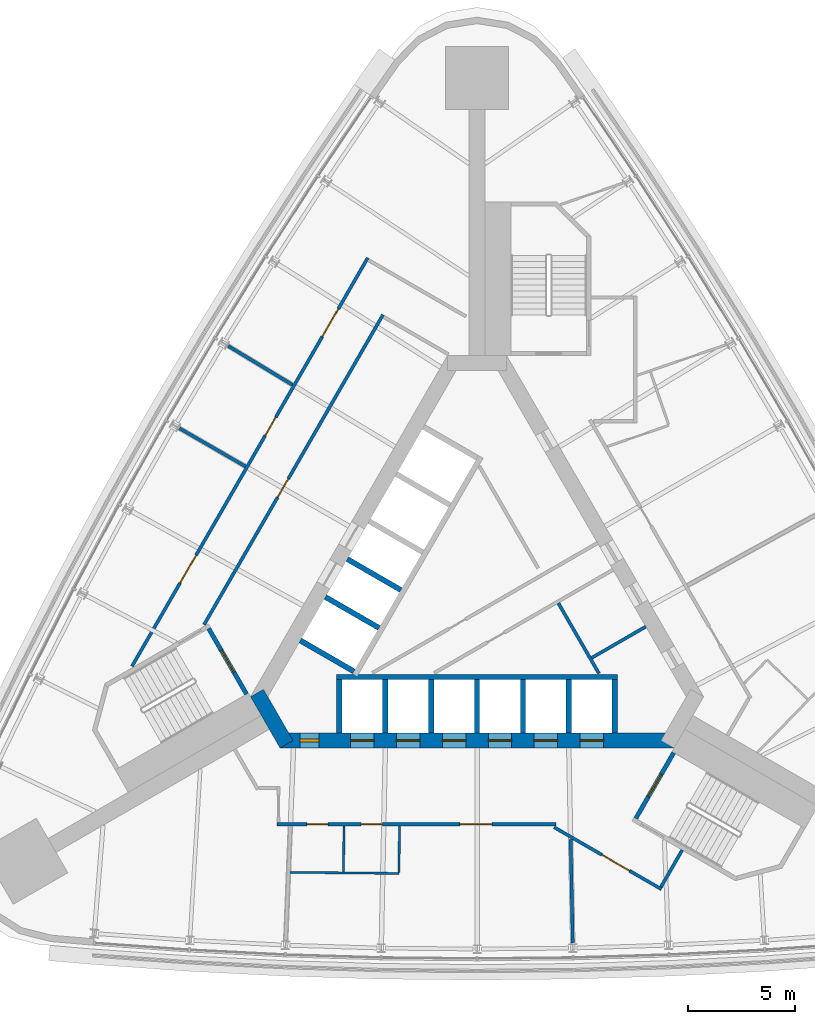
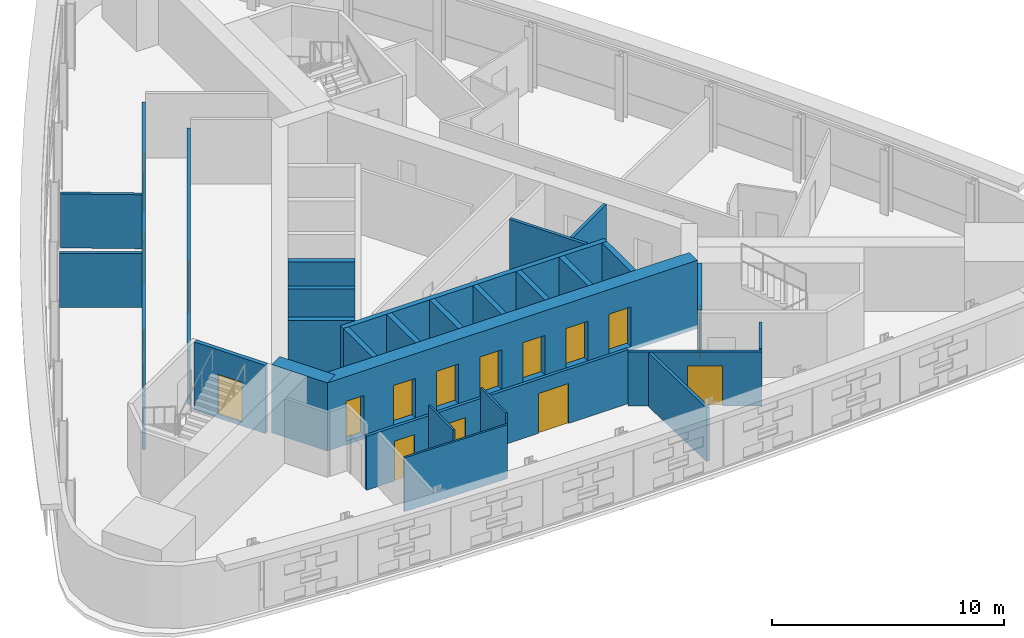
# One storey, part 7 of 11: 28 walls, 17 doors, 17 openings.
"""IFC4 building model written with IfcOpenShell, lengths in metres."""

from ifc_helpers import new_model, si_unit, direction, frame, frame_2d, origin, place, context, subcontext, project, spatial, rectangle, extrude, material, layer, layer_set, type_object, element, fill, save


model = new_model("IFC4")

# Units and contexts
model_context = context("Model", 3, precision=1e-05, world=origin(), true_north=direction((0.0, 1.0)))
body_context = subcontext(model_context, "Body", "Model", "MODEL_VIEW")
ifc_project = project(units=[si_unit("LENGTHUNIT", "METRE"), si_unit("AREAUNIT", "SQUARE_METRE"), si_unit("VOLUMEUNIT", "CUBIC_METRE"), si_unit("PLANEANGLEUNIT", "RADIAN"), si_unit("MASSUNIT", "GRAM", prefix="KILO")], contexts=[model_context])

# Site, building, storey
site_placement = place(None, origin())
site = spatial("IfcSite", under=ifc_project, at=site_placement, CompositionType="ELEMENT")
building_placement = place(site_placement, origin())
building = spatial("IfcBuilding", under=site, at=building_placement, Name="Noor Cloister Tower", CompositionType="ELEMENT")
storey_placement = place(building_placement, frame((0.0, 0.0, 116.699951171875)))
storey = spatial("IfcBuildingStorey", under=building, at=storey_placement, Name="L30", CompositionType="ELEMENT", Elevation=116.699951171875)

# Walls
ifc_material_1 = material(Name="Concrete C30/37", Category="concrete")
ifc_layer_1 = layer(ifc_material_1, 0.14990234375)
ifc_layer_set_1 = layer_set([ifc_layer_1], Name="Core partition 150 C30/37")
wall_type_1 = type_object("IfcWallType", Name="Core partition 150 C30/37", PredefinedType="PARTITIONING", material=ifc_layer_set_1)
wall_1_placement = place(storey_placement, frame((5.713134765625, -3.439208984375, 0.0), z_axis=(0.0, 0.0, 1.0), x_axis=(-0.499981559197, 0.866036050325, 0.0)))
element("IfcWall", 1, at=wall_1_placement, inside=storey, type_object=wall_type_1, Name="Core room partition L30 4", PredefinedType="PARTITIONING", context=body_context, shape_type="SweptSolid", body=[
    extrude(rectangle(XDim=3.806396484375, YDim=0.14990234375, at=frame_2d((1.9033203125, 0.0))), origin(), (0.0, 0.0, 1.0), 3.400146484375),
])
wall_2_placement = place(storey_placement, frame((5.375, -2.703369140625, 0.0), z_axis=(0.0, 0.0, 1.0), x_axis=(0.866046596414, 0.499963291492, 0.0)))
element("IfcWall", 2, at=wall_2_placement, inside=storey, type_object=wall_type_1, Name="Core room partition L30 5", PredefinedType="PARTITIONING", context=body_context, shape_type="SweptSolid", body=[
    extrude(rectangle(XDim=2.925048828125, YDim=0.14990234375, at=frame_2d((1.46240234375, 0.0))), origin(), (0.0, 0.0, 1.0), 3.400146484375),
])

# Wall, openings, doors
ifc_material_2 = material(Name="Concrete C80/95", Category="concrete")
ifc_layer_2 = layer(ifc_material_2, 0.699951171875)
ifc_layer_set_2 = layer_set([ifc_layer_2], Name="Core wall 700 C80/95")
wall_type_2 = type_object("IfcWallType", Name="Core wall 700 C80/95", PredefinedType="SHEAR", material=ifc_layer_set_2)
wall_3_placement = place(storey_placement, frame((-9.228759765625, -6.578125, -0.199951171875), z_axis=(0.0, 0.0, 1.0), x_axis=(1.0, 0.0, 0.0)))
wall_3 = element("IfcWall", 3, at=wall_3_placement, inside=storey, type_object=wall_type_2, Name="Core wall L30 1", PredefinedType="SHEAR", context=body_context, shape_type="SweptSolid", body=[
    extrude(rectangle(XDim=18.45751953125, YDim=0.699951171875, at=frame_2d((9.228759765625, 0.0))), origin(), (0.0, 0.0, 1.0), 3.60009765625),
])
opening_1_placement = place(wall_3_placement, frame((3.3037109375, 0.0, 0.199951171875)))
opening_1 = element("IfcOpeningElement", 4, at=opening_1_placement, cuts=wall_3, Name="Opening L30-LR1", PredefinedType="OPENING", context=body_context, shape_type="SweptSolid", body=[
    extrude(rectangle(XDim=1.10009765625, YDim=2.10009765625, at=frame_2d((0.550048828125, 1.050048828125))), frame((0.0, 0.35986328125, 0.0), z_axis=(0.0, -1.0, 0.0), x_axis=(1.0, 0.0, 0.0)), (0.0, 0.0, 1.0), 0.719970703125),
])
opening_2_placement = place(wall_3_placement, frame((5.45361328125, 0.0, 0.199951171875)))
opening_2 = element("IfcOpeningElement", 5, at=opening_2_placement, cuts=wall_3, Name="Opening L30-LR2", PredefinedType="OPENING", context=body_context, shape_type="SweptSolid", body=[
    extrude(rectangle(XDim=1.10009765625, YDim=2.10009765625, at=frame_2d((0.550048828125, 1.050048828125))), frame((0.0, 0.35986328125, 0.0), z_axis=(0.0, -1.0, 0.0), x_axis=(1.0, 0.0, 0.0)), (0.0, 0.0, 1.0), 0.719970703125),
])
opening_3_placement = place(wall_3_placement, frame((7.603759765625, 0.0, 0.199951171875)))
opening_3 = element("IfcOpeningElement", 6, at=opening_3_placement, cuts=wall_3, Name="Opening L30-LR3", PredefinedType="OPENING", context=body_context, shape_type="SweptSolid", body=[
    extrude(rectangle(XDim=1.10009765625, YDim=2.10009765625, at=frame_2d((0.550048828125, 1.050048828125))), frame((0.0, 0.35986328125, 0.0), z_axis=(0.0, -1.0, 0.0), x_axis=(1.0, 0.0, 0.0)), (0.0, 0.0, 1.0), 0.719970703125),
])
opening_4_placement = place(wall_3_placement, frame((9.753662109375, 0.0, 0.199951171875)))
opening_4 = element("IfcOpeningElement", 7, at=opening_4_placement, cuts=wall_3, Name="Opening L30-LR4", PredefinedType="OPENING", context=body_context, shape_type="SweptSolid", body=[
    extrude(rectangle(XDim=1.10009765625, YDim=2.10009765625, at=frame_2d((0.550048828125, 1.050048828125))), frame((0.0, 0.35986328125, 0.0), z_axis=(0.0, -1.0, 0.0), x_axis=(1.0, 0.0, 0.0)), (0.0, 0.0, 1.0), 0.719970703125),
])
opening_5_placement = place(wall_3_placement, frame((11.90380859375, 0.0, 0.199951171875)))
opening_5 = element("IfcOpeningElement", 8, at=opening_5_placement, cuts=wall_3, Name="Opening L30-LR5", PredefinedType="OPENING", context=body_context, shape_type="SweptSolid", body=[
    extrude(rectangle(XDim=1.10009765625, YDim=2.10009765625, at=frame_2d((0.550048828125, 1.050048828125))), frame((0.0, 0.35986328125, 0.0), z_axis=(0.0, -1.0, 0.0), x_axis=(1.0, 0.0, 0.0)), (0.0, 0.0, 1.0), 0.719970703125),
])
opening_6_placement = place(wall_3_placement, frame((14.0537109375, 0.0, 0.199951171875)))
opening_6 = element("IfcOpeningElement", 9, at=opening_6_placement, cuts=wall_3, Name="Opening L30-LR6", PredefinedType="OPENING", context=body_context, shape_type="SweptSolid", body=[
    extrude(rectangle(XDim=1.10009765625, YDim=2.10009765625, at=frame_2d((0.550048828125, 1.050048828125))), frame((0.0, 0.35986328125, 0.0), z_axis=(0.0, -1.0, 0.0), x_axis=(1.0, 0.0, 0.0)), (0.0, 0.0, 1.0), 0.719970703125),
])
opening_7_placement = place(wall_3_placement, frame((0.92626953125, 0.0, 0.199951171875)))
opening_7 = element("IfcOpeningElement", 10, at=opening_7_placement, cuts=wall_3, Name="Opening L30-907", PredefinedType="OPENING", context=body_context, shape_type="SweptSolid", body=[
    extrude(rectangle(XDim=0.89990234375, YDim=2.10009765625, at=frame_2d((0.449951171875, 1.050048828125))), frame((0.0, 0.35986328125, 0.0), z_axis=(0.0, -1.0, 0.0), x_axis=(1.0, 0.0, 0.0)), (0.0, 0.0, 1.0), 0.719970703125),
])
ifc_material_3 = material(Name="Steel", Category="steel")
door_type_1 = type_object("IfcDoorType", Name="Core door 900 x 2100 FD60", OperationType="SINGLE_SWING_LEFT", PredefinedType="DOOR", material=ifc_material_3)
door_1_placement = place(opening_7_placement, origin())
door_1 = element("IfcDoor", 11, at=door_1_placement, inside=storey, type_object=door_type_1, Name="Core door 7 L30", OperationType="SINGLE_SWING_LEFT", OverallHeight=2.10009765625, OverallWidth=0.89990234375, PredefinedType="DOOR", context=body_context, shape_type="SweptSolid", body=[
    extrude(rectangle(XDim=0.89990234375, YDim=2.10009765625, at=frame_2d((0.449951171875, 1.050048828125))), frame((0.0, 0.074951171875, 0.0), z_axis=(0.0, -1.0, 0.0), x_axis=(1.0, 0.0, 0.0)), (0.0, 0.0, 1.0), 0.14990234375),
])
fill(opening_7, door_1)
ifc_material_4 = material(Name="Stainless steel", Category="steel")
door_type_2 = type_object("IfcDoorType", Name="Lift landing door 1100 x 2100", OperationType="DOUBLE_DOOR_SLIDING", PredefinedType="DOOR", material=ifc_material_4)
door_2_placement = place(opening_1_placement, origin())
door_2 = element("IfcDoor", 12, at=door_2_placement, inside=storey, type_object=door_type_2, Name="Landing door LR1 L30", OperationType="DOUBLE_DOOR_SLIDING", OverallHeight=2.10009765625, OverallWidth=1.10009765625, PredefinedType="DOOR", context=body_context, shape_type="SweptSolid", body=[
    extrude(rectangle(XDim=1.10009765625, YDim=2.10009765625, at=frame_2d((0.550048828125, 1.050048828125))), frame((0.0, 0.02490234375, 0.0), z_axis=(0.0, -1.0, 0.0), x_axis=(1.0, 0.0, 0.0)), (0.0, 0.0, 1.0), 0.050048828125),
])
fill(opening_1, door_2)
door_3_placement = place(opening_2_placement, origin())
door_3 = element("IfcDoor", 13, at=door_3_placement, inside=storey, type_object=door_type_2, Name="Landing door LR2 L30", OperationType="DOUBLE_DOOR_SLIDING", OverallHeight=2.10009765625, OverallWidth=1.10009765625, PredefinedType="DOOR", context=body_context, shape_type="SweptSolid", body=[
    extrude(rectangle(XDim=1.10009765625, YDim=2.10009765625, at=frame_2d((0.550048828125, 1.050048828125))), frame((0.0, 0.02490234375, 0.0), z_axis=(0.0, -1.0, 0.0), x_axis=(1.0, 0.0, 0.0)), (0.0, 0.0, 1.0), 0.050048828125),
])
fill(opening_2, door_3)
door_4_placement = place(opening_3_placement, origin())
door_4 = element("IfcDoor", 14, at=door_4_placement, inside=storey, type_object=door_type_2, Name="Landing door LR3 L30", OperationType="DOUBLE_DOOR_SLIDING", OverallHeight=2.10009765625, OverallWidth=1.10009765625, PredefinedType="DOOR", context=body_context, shape_type="SweptSolid", body=[
    extrude(rectangle(XDim=1.10009765625, YDim=2.10009765625, at=frame_2d((0.550048828125, 1.050048828125))), frame((0.0, 0.02490234375, 0.0), z_axis=(0.0, -1.0, 0.0), x_axis=(1.0, 0.0, 0.0)), (0.0, 0.0, 1.0), 0.050048828125),
])
fill(opening_3, door_4)
door_5_placement = place(opening_4_placement, origin())
door_5 = element("IfcDoor", 15, at=door_5_placement, inside=storey, type_object=door_type_2, Name="Landing door LR4 L30", OperationType="DOUBLE_DOOR_SLIDING", OverallHeight=2.10009765625, OverallWidth=1.10009765625, PredefinedType="DOOR", context=body_context, shape_type="SweptSolid", body=[
    extrude(rectangle(XDim=1.10009765625, YDim=2.10009765625, at=frame_2d((0.550048828125, 1.050048828125))), frame((0.0, 0.02490234375, 0.0), z_axis=(0.0, -1.0, 0.0), x_axis=(1.0, 0.0, 0.0)), (0.0, 0.0, 1.0), 0.050048828125),
])
fill(opening_4, door_5)
door_6_placement = place(opening_5_placement, origin())
door_6 = element("IfcDoor", 16, at=door_6_placement, inside=storey, type_object=door_type_2, Name="Landing door LR5 L30", OperationType="DOUBLE_DOOR_SLIDING", OverallHeight=2.10009765625, OverallWidth=1.10009765625, PredefinedType="DOOR", context=body_context, shape_type="SweptSolid", body=[
    extrude(rectangle(XDim=1.10009765625, YDim=2.10009765625, at=frame_2d((0.550048828125, 1.050048828125))), frame((0.0, 0.02490234375, 0.0), z_axis=(0.0, -1.0, 0.0), x_axis=(1.0, 0.0, 0.0)), (0.0, 0.0, 1.0), 0.050048828125),
])
fill(opening_5, door_6)
door_7_placement = place(opening_6_placement, origin())
door_7 = element("IfcDoor", 17, at=door_7_placement, inside=storey, type_object=door_type_2, Name="Landing door LR6 L30", OperationType="DOUBLE_DOOR_SLIDING", OverallHeight=2.10009765625, OverallWidth=1.10009765625, PredefinedType="DOOR", context=body_context, shape_type="SweptSolid", body=[
    extrude(rectangle(XDim=1.10009765625, YDim=2.10009765625, at=frame_2d((0.550048828125, 1.050048828125))), frame((0.0, 0.02490234375, 0.0), z_axis=(0.0, -1.0, 0.0), x_axis=(1.0, 0.0, 0.0)), (0.0, 0.0, 1.0), 0.050048828125),
])
fill(opening_6, door_7)

# Wall
wall_4_placement = place(storey_placement, frame((-10.311279296875, -4.353271484375, -0.199951171875), z_axis=(0.0, 0.0, 1.0), x_axis=(0.500042739161, -0.866000726912, 0.0)))
element("IfcWall", 18, at=wall_4_placement, inside=storey, type_object=wall_type_2, Name="Core wall L30 6", PredefinedType="SHEAR", context=body_context, shape_type="SweptSolid", body=[
    extrude(rectangle(XDim=2.771240234375, YDim=0.699951171875, at=frame_2d((1.3857421875, 0.0))), origin(), (0.0, 0.0, 1.0), 3.60009765625),
])

# Wall, opening, door
ifc_material_5 = material(Name="Fire-rated gypsum board partition on steel studs, 150 mm", Category="steel")
ifc_layer_3 = layer(ifc_material_5, 0.14990234375)
ifc_layer_set_3 = layer_set([ifc_layer_3], Name="Fire lobby wall 150")
wall_type_3 = type_object("IfcWallType", Name="Fire lobby wall 150", PredefinedType="PARTITIONING", material=ifc_layer_set_3)
wall_5_placement = place(storey_placement, frame((-4.40673828125, 13.373779296875, 0.0), z_axis=(0.0, 0.0, 1.0), x_axis=(-0.499997181693, -0.866027030928, 0.0)))
wall_5 = element("IfcWall", 19, at=wall_5_placement, inside=storey, type_object=wall_type_3, Name="Fire lobby wall 150 L30 002", PredefinedType="PARTITIONING", context=body_context, shape_type="SweptSolid", body=[
    extrude(rectangle(XDim=16.76953125, YDim=0.14990234375, at=frame_2d((8.384765625, 0.0))), origin(), (0.0, 0.0, 1.0), 2.84716796875),
])
opening_8_placement = place(wall_5_placement, frame((8.878662109375, 0.0, 0.0)))
opening_8 = element("IfcOpeningElement", 20, at=opening_8_placement, cuts=wall_5, Name="Opening L30-004", PredefinedType="OPENING", context=body_context, shape_type="SweptSolid", body=[
    extrude(rectangle(XDim=1.0, YDim=2.10009765625, at=frame_2d((0.5, 1.050048828125))), frame((0.0, 0.0849609375, 0.0), z_axis=(0.0, -1.0, 0.0), x_axis=(1.0, 0.0, 0.0)), (0.0, 0.0, 1.0), 0.169921875),
])
ifc_material_6 = material(Name="Timber door leaf with steel frame", Category="steel")
door_type_3 = type_object("IfcDoorType", Name="Fire lobby door 1000", OperationType="NOTDEFINED", PredefinedType="DOOR", material=ifc_material_6)
door_8_placement = place(opening_8_placement, origin())
door_8 = element("IfcDoor", 21, at=door_8_placement, inside=storey, type_object=door_type_3, Name="Fire lobby door 1000 L30-004", OperationType="SINGLE_SWING_RIGHT", OverallHeight=2.10009765625, OverallWidth=1.0, PredefinedType="DOOR", context=body_context, shape_type="SweptSolid", body=[
    extrude(rectangle(XDim=1.0, YDim=2.10009765625, at=frame_2d((0.5, 1.050048828125))), frame((0.0, 0.02490234375, 0.0), z_axis=(0.0, -1.0, 0.0), x_axis=(1.0, 0.0, 0.0)), (0.0, 0.0, 1.0), 0.050048828125),
])
fill(opening_8, door_8)

# Wall, openings, doors
ifc_material_7 = material(Name="Gypsum board partition on steel studs, 150 mm", Category="steel")
ifc_layer_4 = layer(ifc_material_7, 0.14990234375)
ifc_layer_set_4 = layer_set([ifc_layer_4], Name="Flat wall 150")
wall_type_4 = type_object("IfcWallType", Name="Flat wall 150", PredefinedType="PARTITIONING", material=ifc_layer_set_4)
wall_6_placement = place(storey_placement, frame((-16.1689453125, -3.09912109375, 0.0), z_axis=(0.0, 0.0, 1.0), x_axis=(0.499999805269, 0.866025516212, 0.0)))
wall_6 = element("IfcWall", 22, at=wall_6_placement, inside=storey, type_object=wall_type_4, Name="Flat wall 150 L30 001", PredefinedType="PARTITIONING", context=body_context, shape_type="SweptSolid", body=[
    extrude(rectangle(XDim=22.09716796875, YDim=0.14990234375, at=frame_2d((11.048583984375, 0.0))), origin(), (0.0, 0.0, 1.0), 2.84716796875),
])
opening_9_placement = place(wall_6_placement, frame((17.841796875, 0.0, 0.0)))
opening_9 = element("IfcOpeningElement", 23, at=opening_9_placement, cuts=wall_6, Name="Opening L30-001", PredefinedType="OPENING", context=body_context, shape_type="SweptSolid", body=[
    extrude(rectangle(XDim=1.5, YDim=2.10009765625, at=frame_2d((0.75, 1.050048828125))), frame((0.0, 0.0849609375, 0.0), z_axis=(0.0, -1.0, 0.0), x_axis=(1.0, 0.0, 0.0)), (0.0, 0.0, 1.0), 0.169921875),
])
opening_10_placement = place(wall_6_placement, frame((12.474365234375, 0.0, 0.0)))
opening_10 = element("IfcOpeningElement", 24, at=opening_10_placement, cuts=wall_6, Name="Opening L30-002", PredefinedType="OPENING", context=body_context, shape_type="SweptSolid", body=[
    extrude(rectangle(XDim=1.0, YDim=2.10009765625, at=frame_2d((0.5, 1.050048828125))), frame((0.0, 0.0849609375, 0.0), z_axis=(0.0, -1.0, 0.0), x_axis=(1.0, 0.0, 0.0)), (0.0, 0.0, 1.0), 0.169921875),
])
opening_11_placement = place(wall_6_placement, frame((4.50341796875, 0.0, 0.0)))
opening_11 = element("IfcOpeningElement", 25, at=opening_11_placement, cuts=wall_6, Name="Opening L30-003", PredefinedType="OPENING", context=body_context, shape_type="SweptSolid", body=[
    extrude(rectangle(XDim=1.5, YDim=2.10009765625, at=frame_2d((0.75, 1.050048828125))), frame((0.0, 0.0849609375, 0.0), z_axis=(0.0, -1.0, 0.0), x_axis=(1.0, 0.0, 0.0)), (0.0, 0.0, 1.0), 0.169921875),
])
ifc_material_8 = material(Name="Timber door leaf with steel frame", Category="steel")
door_type_4 = type_object("IfcDoorType", Name="Double door 1500 FD60", OperationType="NOTDEFINED", PredefinedType="DOOR", material=ifc_material_8)
door_9_placement = place(opening_9_placement, origin())
door_9 = element("IfcDoor", 26, at=door_9_placement, inside=storey, type_object=door_type_4, Name="Double door 1500 L30-001", OperationType="DOUBLE_DOOR_SINGLE_SWING", OverallHeight=2.10009765625, OverallWidth=1.5, PredefinedType="DOOR", context=body_context, shape_type="SweptSolid", body=[
    extrude(rectangle(XDim=1.5, YDim=2.10009765625, at=frame_2d((0.75, 1.050048828125))), frame((0.0, 0.02490234375, 0.0), z_axis=(0.0, -1.0, 0.0), x_axis=(1.0, 0.0, 0.0)), (0.0, 0.0, 1.0), 0.050048828125),
])
fill(opening_9, door_9)
door_10_placement = place(opening_11_placement, origin())
door_10 = element("IfcDoor", 27, at=door_10_placement, inside=storey, type_object=door_type_4, Name="Double door 1500 L30-003", OperationType="DOUBLE_DOOR_SINGLE_SWING", OverallHeight=2.10009765625, OverallWidth=1.5, PredefinedType="DOOR", context=body_context, shape_type="SweptSolid", body=[
    extrude(rectangle(XDim=1.5, YDim=2.10009765625, at=frame_2d((0.75, 1.050048828125))), frame((0.0, 0.02490234375, 0.0), z_axis=(0.0, -1.0, 0.0), x_axis=(1.0, 0.0, 0.0)), (0.0, 0.0, 1.0), 0.050048828125),
])
fill(opening_11, door_10)
ifc_material_9 = material(Name="Timber door leaf with steel frame", Category="steel")
door_type_5 = type_object("IfcDoorType", Name="Interior door 1000 FD60", OperationType="NOTDEFINED", PredefinedType="DOOR", material=ifc_material_9)
door_11_placement = place(opening_10_placement, origin())
door_11 = element("IfcDoor", 28, at=door_11_placement, inside=storey, type_object=door_type_5, Name="Interior door 1000 L30-002", OperationType="SINGLE_SWING_RIGHT", OverallHeight=2.10009765625, OverallWidth=1.0, PredefinedType="DOOR", context=body_context, shape_type="SweptSolid", body=[
    extrude(rectangle(XDim=1.0, YDim=2.10009765625, at=frame_2d((0.5, 1.050048828125))), frame((0.0, 0.02490234375, 0.0), z_axis=(0.0, -1.0, 0.0), x_axis=(1.0, 0.0, 0.0)), (0.0, 0.0, 1.0), 0.050048828125),
])
fill(opening_10, door_11)

wall_7_placement = place(storey_placement, frame((3.68896484375, -10.503173828125, 0.0), z_axis=(0.0, 0.0, 1.0), x_axis=(-1.0, 0.0, 0.0)))
wall_7 = element("IfcWall", 29, at=wall_7_placement, inside=storey, type_object=wall_type_4, Name="Flat wall 150 L30 004", PredefinedType="PARTITIONING", context=body_context, shape_type="SweptSolid", body=[
    extrude(rectangle(XDim=13.067626953125, YDim=0.14990234375, at=frame_2d((6.53369140625, 0.0))), origin(), (0.0, 0.0, 1.0), 2.84716796875),
])
opening_12_placement = place(wall_7_placement, frame((10.66845703125, 0.0, 0.0)))
opening_12 = element("IfcOpeningElement", 30, at=opening_12_placement, cuts=wall_7, Name="Opening L30-007", PredefinedType="OPENING", context=body_context, shape_type="SweptSolid", body=[
    extrude(rectangle(XDim=1.0, YDim=2.10009765625, at=frame_2d((0.5, 1.050048828125))), frame((0.0, 0.0849609375, 0.0), z_axis=(0.0, -1.0, 0.0), x_axis=(1.0, 0.0, 0.0)), (0.0, 0.0, 1.0), 0.169921875),
])
opening_13_placement = place(wall_7_placement, frame((8.12451171875, 0.0, 0.0)))
opening_13 = element("IfcOpeningElement", 31, at=opening_13_placement, cuts=wall_7, Name="Opening L30-008", PredefinedType="OPENING", context=body_context, shape_type="SweptSolid", body=[
    extrude(rectangle(XDim=1.0, YDim=2.10009765625, at=frame_2d((0.5, 1.050048828125))), frame((0.0, 0.0849609375, 0.0), z_axis=(0.0, -1.0, 0.0), x_axis=(1.0, 0.0, 0.0)), (0.0, 0.0, 1.0), 0.169921875),
])
opening_14_placement = place(wall_7_placement, frame((2.98974609375, 0.0, 0.0)))
opening_14 = element("IfcOpeningElement", 32, at=opening_14_placement, cuts=wall_7, Name="Opening L30-009", PredefinedType="OPENING", context=body_context, shape_type="SweptSolid", body=[
    extrude(rectangle(XDim=1.5, YDim=2.10009765625, at=frame_2d((0.75, 1.050048828125))), frame((0.0, 0.0849609375, 0.0), z_axis=(0.0, -1.0, 0.0), x_axis=(1.0, 0.0, 0.0)), (0.0, 0.0, 1.0), 0.169921875),
])
ifc_material_10 = material(Name="Timber door leaf with steel frame", Category="steel")
door_type_6 = type_object("IfcDoorType", Name="Accessible WC door 1000", OperationType="NOTDEFINED", PredefinedType="DOOR", material=ifc_material_10)
door_12_placement = place(opening_12_placement, origin())
door_12 = element("IfcDoor", 33, at=door_12_placement, inside=storey, type_object=door_type_6, Name="Accessible WC door 1000 L30-007", OperationType="SINGLE_SWING_RIGHT", OverallHeight=2.10009765625, OverallWidth=1.0, PredefinedType="DOOR", context=body_context, shape_type="SweptSolid", body=[
    extrude(rectangle(XDim=1.0, YDim=2.10009765625, at=frame_2d((0.5, 1.050048828125))), frame((0.0, 0.02490234375, 0.0), z_axis=(0.0, -1.0, 0.0), x_axis=(1.0, 0.0, 0.0)), (0.0, 0.0, 1.0), 0.050048828125),
])
fill(opening_12, door_12)
door_13_placement = place(opening_14_placement, origin())
door_13 = element("IfcDoor", 34, at=door_13_placement, inside=storey, type_object=door_type_4, Name="Double door 1500 L30-009", OperationType="DOUBLE_DOOR_SINGLE_SWING", OverallHeight=2.10009765625, OverallWidth=1.5, PredefinedType="DOOR", context=body_context, shape_type="SweptSolid", body=[
    extrude(rectangle(XDim=1.5, YDim=2.10009765625, at=frame_2d((0.75, 1.050048828125))), frame((0.0, 0.02490234375, 0.0), z_axis=(0.0, -1.0, 0.0), x_axis=(1.0, 0.0, 0.0)), (0.0, 0.0, 1.0), 0.050048828125),
])
fill(opening_14, door_13)
door_14_placement = place(opening_13_placement, origin())
door_14 = element("IfcDoor", 35, at=door_14_placement, inside=storey, type_object=door_type_5, Name="Interior door 1000 L30-008", OperationType="SINGLE_SWING_RIGHT", OverallHeight=2.10009765625, OverallWidth=1.0, PredefinedType="DOOR", context=body_context, shape_type="SweptSolid", body=[
    extrude(rectangle(XDim=1.0, YDim=2.10009765625, at=frame_2d((0.5, 1.050048828125))), frame((0.0, 0.02490234375, 0.0), z_axis=(0.0, -1.0, 0.0), x_axis=(1.0, 0.0, 0.0)), (0.0, 0.0, 1.0), 0.050048828125),
])
fill(opening_13, door_14)

# Wall, opening, door
wall_8_placement = place(storey_placement, frame((8.64111328125, -13.5458984375, 0.0), z_axis=(0.0, 0.0, 1.0), x_axis=(-0.866042728627, 0.499969991291, 0.0)))
wall_8 = element("IfcWall", 36, at=wall_8_placement, inside=storey, type_object=wall_type_4, Name="Flat wall 150 L30 005", PredefinedType="PARTITIONING", context=body_context, shape_type="SweptSolid", body=[
    extrude(rectangle(XDim=5.805419921875, YDim=0.14990234375, at=frame_2d((2.90283203125, 0.0))), origin(), (0.0, 0.0, 1.0), 2.84716796875),
])
opening_15_placement = place(wall_8_placement, frame((1.726318359375, 0.0, 0.0)))
opening_15 = element("IfcOpeningElement", 37, at=opening_15_placement, cuts=wall_8, Name="Opening L30-010", PredefinedType="OPENING", context=body_context, shape_type="SweptSolid", body=[
    extrude(rectangle(XDim=1.5, YDim=2.10009765625, at=frame_2d((0.75, 1.050048828125))), frame((0.0, 0.0849609375, 0.0), z_axis=(0.0, -1.0, 0.0), x_axis=(1.0, 0.0, 0.0)), (0.0, 0.0, 1.0), 0.169921875),
])
door_15_placement = place(opening_15_placement, origin())
door_15 = element("IfcDoor", 38, at=door_15_placement, inside=storey, type_object=door_type_4, Name="Double door 1500 L30-010", OperationType="DOUBLE_DOOR_SINGLE_SWING", OverallHeight=2.10009765625, OverallWidth=1.5, PredefinedType="DOOR", context=body_context, shape_type="SweptSolid", body=[
    extrude(rectangle(XDim=1.5, YDim=2.10009765625, at=frame_2d((0.75, 1.050048828125))), frame((0.0, 0.02490234375, 0.0), z_axis=(0.0, -1.0, 0.0), x_axis=(1.0, 0.0, 0.0)), (0.0, 0.0, 1.0), 0.050048828125),
])
fill(opening_15, door_15)

# Walls
wall_9_placement = place(storey_placement, frame((8.613525390625, -13.443603515625, 0.0), z_axis=(0.0, 0.0, 1.0), x_axis=(0.499972520799, 0.866041268327, 0.0)))
element("IfcWall", 39, at=wall_9_placement, inside=storey, type_object=wall_type_4, Name="Flat wall 150 L30 012", PredefinedType="PARTITIONING", context=body_context, shape_type="SweptSolid", body=[
    extrude(rectangle(XDim=2.0, YDim=0.14990234375, at=frame_2d((1.0, 0.0))), origin(), (0.0, 0.0, 1.0), 2.923095703125),
])
wall_10_placement = place(storey_placement, frame((4.4833984375, -16.0537109375, 0.0), z_axis=(0.0, 0.0, 1.0), x_axis=(-0.020251440235, 0.999794918555, 0.0)))
element("IfcWall", 40, at=wall_10_placement, inside=storey, type_object=wall_type_4, Name="Flat wall 150 L30 018", PredefinedType="PARTITIONING", context=body_context, shape_type="SweptSolid", body=[
    extrude(rectangle(XDim=4.834228515625, YDim=0.14990234375, at=frame_2d((2.4169921875, 0.0))), origin(), (0.0, 0.0, 1.0), 2.84716796875),
])
wall_11_placement = place(storey_placement, frame((-13.942138671875, 8.049560546875, 0.0), z_axis=(0.0, 0.0, 1.0), x_axis=(0.866034162518, -0.499984829122, 0.0)))
element("IfcWall", 41, at=wall_11_placement, inside=storey, type_object=wall_type_4, Name="Flat wall 150 L30 019", PredefinedType="PARTITIONING", context=body_context, shape_type="SweptSolid", body=[
    extrude(rectangle(XDim=3.57080078125, YDim=0.14990234375, at=frame_2d((1.785400390625, 0.0))), origin(), (0.0, 0.0, 1.0), 2.84716796875),
])
wall_12_placement = place(storey_placement, frame((-11.6611328125, 11.90966796875, 0.0), z_axis=(0.0, 0.0, 1.0), x_axis=(0.855697033778, -0.517477136098, 0.0)))
element("IfcWall", 42, at=wall_12_placement, inside=storey, type_object=wall_type_4, Name="Flat wall 150 L30 020", PredefinedType="PARTITIONING", context=body_context, shape_type="SweptSolid", body=[
    extrude(rectangle(XDim=3.524658203125, YDim=0.14990234375, at=frame_2d((1.76220703125, 0.0))), origin(), (0.0, 0.0, 1.0), 2.84716796875),
])
ifc_material_11 = material(Name="Gypsum board partition on steel studs, 100 mm", Category="steel")
ifc_layer_5 = layer(ifc_material_11, 0.10009765625)
ifc_layer_set_5 = layer_set([ifc_layer_5], Name="Partition 100")
wall_type_5 = type_object("IfcWallType", Name="Partition 100", PredefinedType="PARTITIONING", material=ifc_layer_set_5)
wall_13_placement = place(storey_placement, frame((-8.760009765625, -12.754150390625, 0.0), z_axis=(0.0, 0.0, 1.0), x_axis=(0.999948543491, -0.010144474863, 0.0)))
element("IfcWall", 43, at=wall_13_placement, inside=storey, type_object=wall_type_5, Name="Partition 100 L30 022", PredefinedType="PARTITIONING", context=body_context, shape_type="SweptSolid", body=[
    extrude(rectangle(XDim=5.10205078125, YDim=0.10009765625, at=frame_2d((2.551025390625, 0.0))), origin(), (0.0, 0.0, 1.0), 2.84716796875),
])
wall_14_placement = place(storey_placement, frame((-3.65771484375, -12.755859375, 0.0), z_axis=(0.0, 0.0, 1.0), x_axis=(0.010203550433, 0.999947942424, 0.0)))
element("IfcWall", 44, at=wall_14_placement, inside=storey, type_object=wall_type_5, Name="Partition 100 L30 028", PredefinedType="PARTITIONING", context=body_context, shape_type="SweptSolid", body=[
    extrude(rectangle(XDim=2.17724609375, YDim=0.10009765625, at=frame_2d((1.088623046875, 0.0))), origin(), (0.0, 0.0, 1.0), 3.400146484375),
])
wall_15_placement = place(storey_placement, frame((-6.257568359375, -12.7294921875, 0.0), z_axis=(0.0, 0.0, 1.0), x_axis=(0.010101641199, 0.999948977121, 0.0)))
element("IfcWall", 45, at=wall_15_placement, inside=storey, type_object=wall_type_5, Name="Partition 100 L30 029", PredefinedType="PARTITIONING", context=body_context, shape_type="SweptSolid", body=[
    extrude(rectangle(XDim=2.15087890625, YDim=0.10009765625, at=frame_2d((1.075439453125, 0.0))), origin(), (0.0, 0.0, 1.0), 3.400146484375),
])
ifc_material_12 = material(Name="Concrete C80/95", Category="concrete")
ifc_layer_6 = layer(ifc_material_12, 0.25)
ifc_layer_set_6 = layer_set([ifc_layer_6], Name="Shaft wall 250 C80/95")
wall_type_6 = type_object("IfcWallType", Name="Shaft wall 250 C80/95", PredefinedType="PARTITIONING", material=ifc_layer_set_6)
for number, where, z_axis, x_axis, name in (
    (46, (-6.449951171875, -6.228271484375, -0.199951171875), (0.0, 0.0, 1.0), (0.0, 1.0, 0.0), "Lift shaft wall L30 S 1"),
    (47, (-4.300048828125, -6.228271484375, -0.199951171875), (0.0, 0.0, 1.0), (0.0, 1.0, 0.0), "Lift shaft wall L30 S 2"),
    (48, (-2.14990234375, -6.228271484375, -0.199951171875), (0.0, 0.0, 1.0), (0.0, 1.0, 0.0), "Lift shaft wall L30 S 3"),
    (49, (0.0, -6.228271484375, -0.199951171875), (0.0, 0.0, 1.0), (0.0, 1.0, 0.0), "Lift shaft wall L30 S 4"),
    (50, (2.14990234375, -6.228271484375, -0.199951171875), (0.0, 0.0, 1.0), (0.0, 1.0, 0.0), "Lift shaft wall L30 S 5"),
    (51, (4.300048828125, -6.228271484375, -0.199951171875), (0.0, 0.0, 1.0), (0.0, 1.0, 0.0), "Lift shaft wall L30 S 6"),
    (52, (6.449951171875, -6.228271484375, -0.199951171875), (0.0, 0.0, 1.0), (0.0, 1.0, 0.0), "Lift shaft wall L30 S 7"),
):
    element("IfcWall", number, at=place(storey_placement, frame(where, z_axis=z_axis, x_axis=x_axis)), inside=storey, type_object=wall_type_6, Name=name, PredefinedType="PARTITIONING", context=body_context, shape_type="SweptSolid", body=[
        extrude(rectangle(XDim=2.5, YDim=0.25, at=frame_2d((1.25, 0.0))), origin(), (0.0, 0.0, 1.0), 3.60009765625),
    ])
wall_16_placement = place(storey_placement, frame((-6.574951171875, -3.603271484375, 0.0), z_axis=(0.0, 0.0, 1.0), x_axis=(1.0, 0.0, 0.0)))
element("IfcWall", 53, at=wall_16_placement, inside=storey, type_object=wall_type_6, Name="Lift shaft back wall L30 S", PredefinedType="PARTITIONING", context=body_context, shape_type="SweptSolid", body=[
    extrude(rectangle(XDim=13.14990234375, YDim=0.25, at=frame_2d((6.574951171875, 0.0))), origin(), (0.0, 0.0, 1.0), 3.400146484375),
])
for number, where, z_axis, x_axis, name in (
    (54, (-6.081298828125, 1.92333984375, -0.199951171875), (0.0, 0.0, 1.0), (0.866032775405, -0.499987231761, 0.0), "Lift shaft wall L30 NW 4"),
    (55, (-7.106201171875, 0.14794921875, -0.199951171875), (0.0, 0.0, 1.0), (0.866032775405, -0.499987231761, 0.0), "Lift shaft wall L30 NW 5"),
    (56, (-8.28125, -1.88720703125, -0.199951171875), (0.0, 0.0, 1.0), (0.866032775405, -0.499987231761, 0.0), "Lift shaft wall L30 NW 6"),
):
    element("IfcWall", number, at=place(storey_placement, frame(where, z_axis=z_axis, x_axis=x_axis)), inside=storey, type_object=wall_type_6, Name=name, PredefinedType="PARTITIONING", context=body_context, shape_type="SweptSolid", body=[
        extrude(rectangle(XDim=2.89990234375, YDim=0.25, at=frame_2d((1.449951171875, 0.0))), origin(), (0.0, 0.0, 1.0), 3.60009765625),
    ])

# Wall, opening, door
ifc_material_13 = material(Name="Concrete C80/95", Category="concrete")
ifc_layer_7 = layer(ifc_material_13, 0.199951171875)
ifc_layer_set_7 = layer_set([ifc_layer_7], Name="Stair enclosure wall 200 C80/95")
wall_type_7 = type_object("IfcWallType", Name="Stair enclosure wall 200 C80/95", PredefinedType="SHEAR", material=ifc_layer_set_7)
wall_17_placement = place(storey_placement, frame((-12.575927734375, -1.33056640625, -0.199951171875), z_axis=(0.0, 0.0, 1.0), x_axis=(0.499970499736, -0.8660424351, 0.0)))
wall_17 = element("IfcWall", 57, at=wall_17_placement, inside=storey, type_object=wall_type_7, Name="Stair enclosure wall ST2 L30 near end", PredefinedType="SHEAR", context=body_context, shape_type="SweptSolid", body=[
    extrude(rectangle(XDim=3.550048828125, YDim=0.199951171875, at=frame_2d((1.77490234375, 0.0))), origin(), (0.0, 0.0, 1.0), 3.60009765625),
])
opening_16_placement = place(wall_17_placement, frame((1.175048828125, 0.0, 0.199951171875)))
opening_16 = element("IfcOpeningElement", 58, at=opening_16_placement, cuts=wall_17, Name="Opening L30-ST2L", PredefinedType="OPENING", context=body_context, shape_type="SweptSolid", body=[
    extrude(rectangle(XDim=1.199951171875, YDim=2.10009765625, at=frame_2d((0.60009765625, 1.050048828125))), frame((0.0, 0.10986328125, 0.0), z_axis=(0.0, -1.0, 0.0), x_axis=(1.0, 0.0, 0.0)), (0.0, 0.0, 1.0), 0.219970703125),
])
ifc_material_14 = material(Name="Steel", Category="steel")
door_type_7 = type_object("IfcDoorType", Name="Stair door 1200 x 2100 FD120", OperationType="SINGLE_SWING_LEFT", PredefinedType="DOOR", material=ifc_material_14)
door_16_placement = place(opening_16_placement, origin())
door_16 = element("IfcDoor", 59, at=door_16_placement, inside=storey, type_object=door_type_7, Name="Stair door ST2 L30", OperationType="SINGLE_SWING_RIGHT", OverallHeight=2.10009765625, OverallWidth=1.199951171875, PredefinedType="DOOR", context=body_context, shape_type="SweptSolid", body=[
    extrude(rectangle(XDim=1.199951171875, YDim=2.10009765625, at=frame_2d((0.60009765625, 1.050048828125))), frame((0.0, 0.02490234375, 0.0), z_axis=(0.0, -1.0, 0.0), x_axis=(1.0, 0.0, 0.0)), (0.0, 0.0, 1.0), 0.050048828125),
])
fill(opening_16, door_16)

wall_18_placement = place(storey_placement, frame((7.440185546875, -10.225830078125, -0.199951171875), z_axis=(0.0, 0.0, 1.0), x_axis=(0.500022077904, 0.866012656725, 0.0)))
wall_18 = element("IfcWall", 60, at=wall_18_placement, inside=storey, type_object=wall_type_7, Name="Stair enclosure wall ST3 L30 near end", PredefinedType="SHEAR", context=body_context, shape_type="SweptSolid", body=[
    extrude(rectangle(XDim=3.550048828125, YDim=0.199951171875, at=frame_2d((1.77490234375, 0.0))), origin(), (0.0, 0.0, 1.0), 3.60009765625),
])
opening_17_placement = place(wall_18_placement, frame((1.175048828125, 0.0, 0.199951171875)))
opening_17 = element("IfcOpeningElement", 61, at=opening_17_placement, cuts=wall_18, Name="Opening L30-ST3L", PredefinedType="OPENING", context=body_context, shape_type="SweptSolid", body=[
    extrude(rectangle(XDim=1.199951171875, YDim=2.10009765625, at=frame_2d((0.60009765625, 1.050048828125))), frame((0.0, 0.10986328125, 0.0), z_axis=(0.0, -1.0, 0.0), x_axis=(1.0, 0.0, 0.0)), (0.0, 0.0, 1.0), 0.219970703125),
])
door_17_placement = place(opening_17_placement, origin())
door_17 = element("IfcDoor", 62, at=door_17_placement, inside=storey, type_object=door_type_7, Name="Stair door ST3 L30", OperationType="SINGLE_SWING_RIGHT", OverallHeight=2.10009765625, OverallWidth=1.199951171875, PredefinedType="DOOR", context=body_context, shape_type="SweptSolid", body=[
    extrude(rectangle(XDim=1.199951171875, YDim=2.10009765625, at=frame_2d((0.60009765625, 1.050048828125))), frame((0.0, 0.02490234375, 0.0), z_axis=(0.0, -1.0, 0.0), x_axis=(1.0, 0.0, 0.0)), (0.0, 0.0, 1.0), 0.050048828125),
])
fill(opening_17, door_17)

save(model, "model.ifc")
